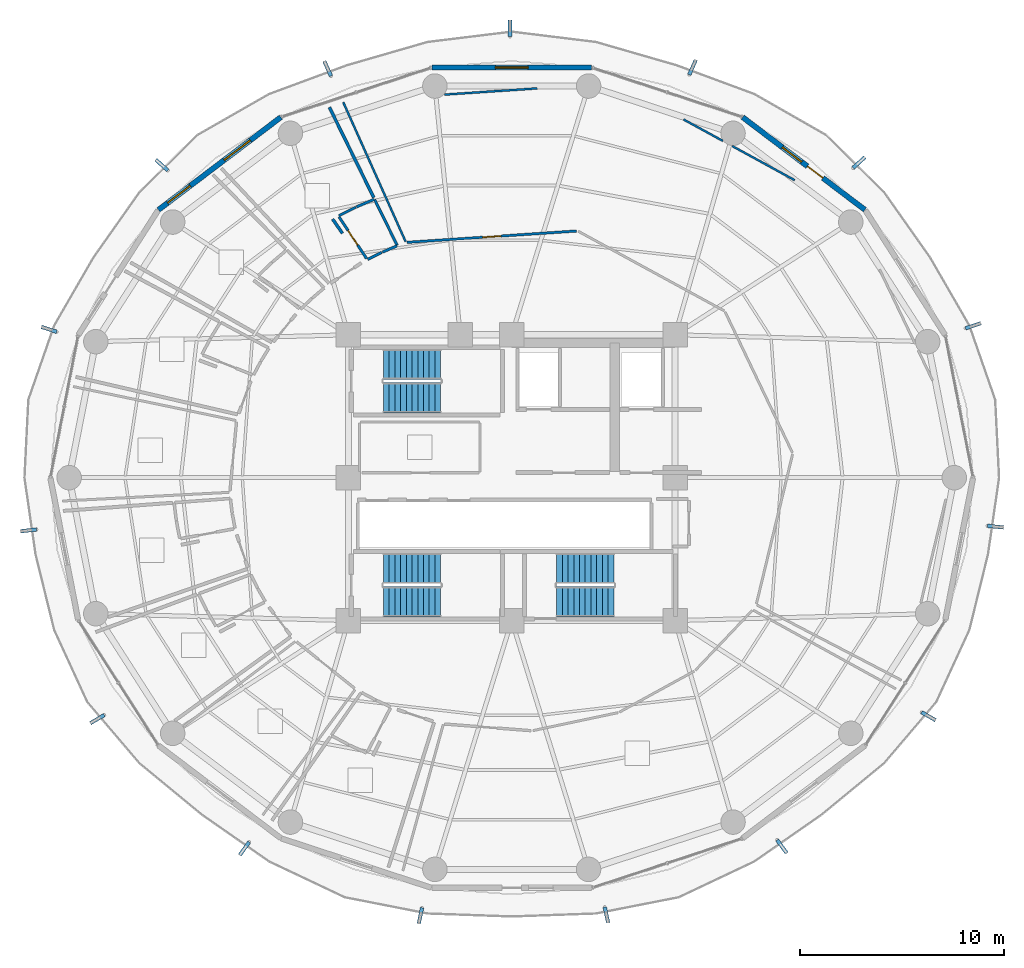
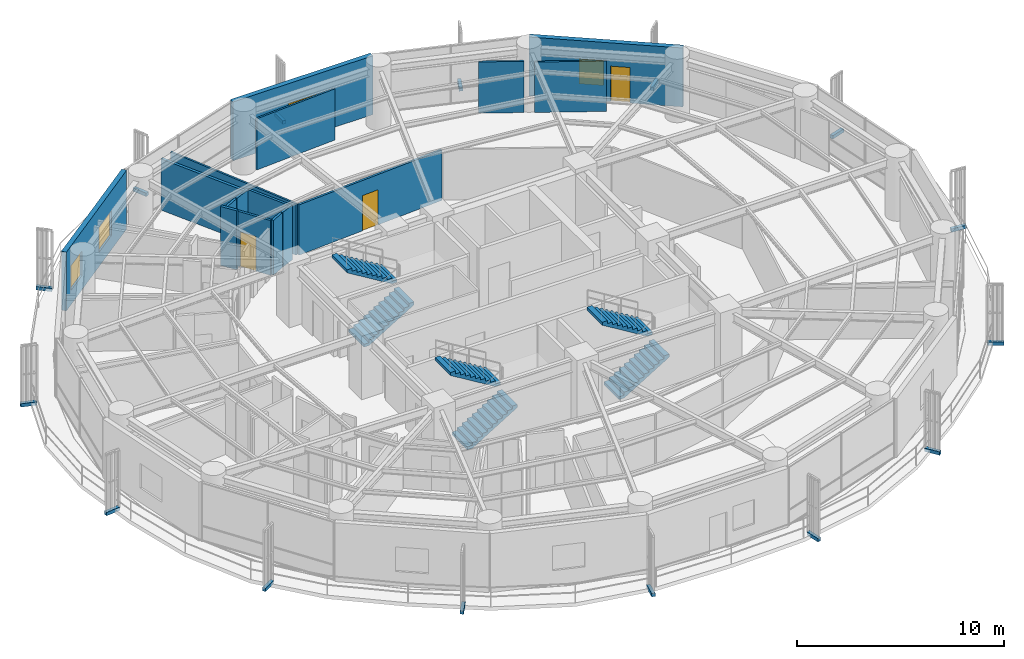
# One storey, part 24 of 28: 16 walls, 15 discrete accessories, 6 stair flights, 4 windows, 3 doors, 7 openings, 3 elements without a shape of their own.
"""IFC4 building model written with IfcOpenShell, lengths in metres."""

from ifc_helpers import new_model, si_unit, direction, frame, frame_2d, origin, origin_2d, place, context, subcontext, project, spatial, polyline, rectangle, outline, extrude, source, transform, mapped, material, layer, layer_set, type_object, element, fill, aggregate, save


model = new_model("IFC4")

# Units and contexts
model_context = context("Model", 3, precision=1e-05, world=origin(), true_north=direction((0.0, 1.0)))
body_context = subcontext(model_context, "Body", "Model", "MODEL_VIEW")
ifc_project = project(units=[si_unit("LENGTHUNIT", "METRE"), si_unit("AREAUNIT", "SQUARE_METRE"), si_unit("VOLUMEUNIT", "CUBIC_METRE"), si_unit("PLANEANGLEUNIT", "RADIAN"), si_unit("MASSUNIT", "GRAM", prefix="KILO")], contexts=[model_context])

# Site, building, storey
site_placement = place(None, origin())
site = spatial("IfcSite", under=ifc_project, at=site_placement, CompositionType="ELEMENT")
building_placement = place(site_placement, origin())
building = spatial("IfcBuilding", under=site, at=building_placement, Name="Kelanora Arch Commons", CompositionType="ELEMENT")
storey_placement = place(building_placement, frame((0.0, 0.0, 139.35009765625)))
storey = spatial("IfcBuildingStorey", under=building, at=storey_placement, Name="L35", CompositionType="ELEMENT", Elevation=139.35009765625)

# Walls
ifc_material_1 = material(Name="Autoclaved aerated concrete blockwork with fire plaster", Category="masonry")
ifc_layer_1 = layer(ifc_material_1, 0.14990234375)
ifc_layer_set_1 = layer_set([ifc_layer_1], Name="Autoclaved aerated concrete blockwork with fire plaster")
wall_type_1 = type_object("IfcWallType", Name="W-COMP-150", PredefinedType="PARTITIONING", material=ifc_layer_set_1)
wall_1_placement = place(storey_placement, frame((65.071533203125, 76.13916015625, 0.0), z_axis=(0.0, 0.0, 1.0), x_axis=(0.440581721025, -0.897712508044, 0.0)))
element("IfcWall", 1, at=wall_1_placement, inside=storey, type_object=wall_type_1, Name="Cluster Bedroom L35-01 Enclosure Partition 5", PredefinedType="PARTITIONING", context=body_context, shape_type="SweptSolid", body=[
    extrude(rectangle(XDim=4.92724609375, YDim=0.14990234375, at=frame_2d((2.463623046875, 0.0))), origin(), (0.0, 0.0, 1.0), 3.02490234375),
])
wall_2_placement = place(storey_placement, frame((65.226806640625, 70.6669921875, 0.0), z_axis=(0.0, 0.0, 1.0), x_axis=(0.567880544382, -0.823110981164, 0.0)))
element("IfcWall", 2, at=wall_2_placement, inside=storey, type_object=wall_type_1, Name="Cluster Bedroom L35-01 Enclosure Partition 7", PredefinedType="PARTITIONING", context=body_context, shape_type="SweptSolid", body=[
    extrude(rectangle(XDim=0.850341796875, YDim=0.14990234375, at=frame_2d((0.42529296875, 0.0))), origin(), (0.0, 0.0, 1.0), 3.47998046875),
])

# Wall, openings, door, window
ifc_material_2 = material(Name="Precast concrete C40/50 with terracotta rainscreen", Category="masonry")
ifc_layer_2 = layer(ifc_material_2, 0.260009765625)
ifc_layer_set_2 = layer_set([ifc_layer_2], Name="Precast concrete C40/50 with terracotta rainscreen")
wall_type_2 = type_object("IfcWallType", Name="W-EXT-TC", PredefinedType="SOLIDWALL", material=ifc_layer_set_2)
wall_3_placement = place(storey_placement, frame((91.300537109375, 71.1220703125, 0.0), z_axis=(0.0, 0.0, 1.0), x_axis=(-0.797163719609, 0.603763202042, 0.0)))
wall_3 = element("IfcWall", 3, at=wall_3_placement, inside=storey, type_object=wall_type_2, Name="Terracotta Exterior Wall L35-B02", PredefinedType="SOLIDWALL", context=body_context, shape_type="SweptSolid", body=[
    extrude(rectangle(XDim=7.51220703125, YDim=0.260009765625, at=frame_2d((3.756103515625, 0.0))), origin(), (0.0, 0.0, 1.0), 3.474853515625),
])
opening_1_placement = place(wall_3_placement, frame((2.5810546875, 0.0, 0.0)))
opening_1 = element("IfcOpeningElement", 4, at=opening_1_placement, cuts=wall_3, Name="Opening DB-01", PredefinedType="OPENING", context=body_context, shape_type="SweptSolid", body=[
    extrude(rectangle(XDim=0.949951171875, YDim=2.10009765625, at=frame_2d((0.47509765625, 1.050048828125))), frame((0.0, 0.14013671875, 0.0), z_axis=(0.0, -1.0, 0.0), x_axis=(1.0, 0.0, 0.0)), (0.0, 0.0, 1.0), 0.280029296875),
])
opening_2_placement = place(wall_3_placement, frame((3.881103515625, 0.0, 0.85009765625)))
opening_2 = element("IfcOpeningElement", 5, at=opening_2_placement, cuts=wall_3, Name="Opening WN-02", PredefinedType="OPENING", context=body_context, shape_type="SweptSolid", body=[
    extrude(rectangle(XDim=1.199951171875, YDim=1.449951171875, at=frame_2d((0.60009765625, 0.72509765625))), frame((0.0, 0.14013671875, 0.0), z_axis=(0.0, -1.0, 0.0), x_axis=(1.0, 0.0, 0.0)), (0.0, 0.0, 1.0), 0.280029296875),
])
ifc_material_3 = material(Name="Terracotta-aluminium thermally broken glazed balcony door", Category="masonry")
door_type_1 = type_object("IfcDoorType", Name="D-BAL-10", OperationType="NOTDEFINED", PredefinedType="DOOR", material=ifc_material_3)
door_1_placement = place(opening_1_placement, frame((0.949951171875, 0.0, 0.0), z_axis=(0.0, 0.0, 1.0), x_axis=(-1.0, 0.0, 0.0)))
door_1 = element("IfcDoor", 6, at=door_1_placement, inside=storey, type_object=door_type_1, Name="Wave Balcony Door L35-B02", OperationType="SINGLE_SWING_RIGHT", OverallHeight=2.10009765625, OverallWidth=0.949951171875, PredefinedType="DOOR", context=body_context, shape_type="SweptSolid", body=[
    extrude(rectangle(XDim=0.949951171875, YDim=2.10009765625, at=frame_2d((0.47509765625, 1.050048828125))), frame((0.0, 0.02490234375, 0.0), z_axis=(0.0, -1.0, 0.0), x_axis=(1.0, 0.0, 0.0)), (0.0, 0.0, 1.0), 0.050048828125),
])
fill(opening_1, door_1)
ifc_material_4 = material(Name="Terracotta-anodised aluminium frame with operable awning sash", Category="masonry")
window_type_1 = type_object("IfcWindowType", Name="WIN-CL-12", PartitioningType="SINGLE_PANEL", PredefinedType="WINDOW", material=ifc_material_4)
window_1_placement = place(opening_2_placement, origin())
window_1 = element("IfcWindow", 7, at=window_1_placement, inside=storey, type_object=window_type_1, Name="Co-Living Operable Window L35-B02", OverallHeight=1.449951171875, OverallWidth=1.199951171875, PartitioningType="SINGLE_PANEL", PredefinedType="WINDOW", context=body_context, shape_type="SweptSolid", body=[
    extrude(rectangle(XDim=1.199951171875, YDim=1.449951171875, at=frame_2d((0.60009765625, 0.72509765625))), frame((0.0, 0.030029296875, 0.0), z_axis=(0.0, -1.0, 0.0), x_axis=(1.0, 0.0, 0.0)), (0.0, 0.0, 1.0), 0.06005859375),
])
fill(opening_2, window_1)

# Wall, opening, window
wall_4_placement = place(storey_placement, frame((77.909423828125, 78.090087890625, 0.0), z_axis=(0.0, 0.0, 1.0), x_axis=(-1.0, 0.0, 0.0)))
wall_4 = element("IfcWall", 8, at=wall_4_placement, inside=storey, type_object=wall_type_2, Name="Terracotta Exterior Wall L35-B04", PredefinedType="SOLIDWALL", context=body_context, shape_type="SweptSolid", body=[
    extrude(rectangle(XDim=7.81884765625, YDim=0.260009765625, at=frame_2d((3.909423828125, 0.0))), origin(), (0.0, 0.0, 1.0), 3.474853515625),
])
opening_3_placement = place(wall_4_placement, frame((3.10888671875, 0.0, 0.85009765625)))
opening_3 = element("IfcOpeningElement", 9, at=opening_3_placement, cuts=wall_4, Name="Opening WN-01", PredefinedType="OPENING", context=body_context, shape_type="SweptSolid", body=[
    extrude(rectangle(XDim=1.60009765625, YDim=1.449951171875, at=frame_2d((0.800048828125, 0.72509765625))), frame((0.0, 0.14013671875, 0.0), z_axis=(0.0, -1.0, 0.0), x_axis=(1.0, 0.0, 0.0)), (0.0, 0.0, 1.0), 0.280029296875),
])
ifc_material_5 = material(Name="Terracotta-anodised aluminium frame with operable low-E glazing", Category="masonry")
window_type_2 = type_object("IfcWindowType", Name="WIN-CL-18", PartitioningType="DOUBLE_PANEL_VERTICAL", PredefinedType="WINDOW", material=ifc_material_5)
window_2_placement = place(opening_3_placement, origin())
window_2 = element("IfcWindow", 10, at=window_2_placement, inside=storey, type_object=window_type_2, Name="Co-Living Operable Window L35-B04", OverallHeight=1.449951171875, OverallWidth=1.60009765625, PartitioningType="SINGLE_PANEL", PredefinedType="WINDOW", context=body_context, shape_type="SweptSolid", body=[
    extrude(rectangle(XDim=1.60009765625, YDim=1.449951171875, at=frame_2d((0.800048828125, 0.72509765625))), frame((0.0, 0.030029296875, 0.0), z_axis=(0.0, -1.0, 0.0), x_axis=(1.0, 0.0, 0.0)), (0.0, 0.0, 1.0), 0.06005859375),
])
fill(opening_3, window_2)

# Wall, openings, windows
wall_5_placement = place(storey_placement, frame((62.68798828125, 75.65771484375, 0.0), z_axis=(0.0, 0.0, 1.0), x_axis=(-0.797163719609, -0.603763202042, 0.0)))
wall_5 = element("IfcWall", 11, at=wall_5_placement, inside=storey, type_object=wall_type_2, Name="Terracotta Exterior Wall L35-B06", PredefinedType="SOLIDWALL", context=body_context, shape_type="SweptSolid", body=[
    extrude(rectangle(XDim=7.51220703125, YDim=0.260009765625, at=frame_2d((3.756103515625, 0.0))), origin(), (0.0, 0.0, 1.0), 3.474853515625),
])
opening_4_placement = place(wall_5_placement, frame((1.8759765625, 0.0, 0.85009765625)))
opening_4 = element("IfcOpeningElement", 12, at=opening_4_placement, cuts=wall_5, Name="Opening WN-01", PredefinedType="OPENING", context=body_context, shape_type="SweptSolid", body=[
    extrude(rectangle(XDim=1.60009765625, YDim=1.449951171875, at=frame_2d((0.800048828125, 0.72509765625))), frame((0.0, 0.14013671875, 0.0), z_axis=(0.0, -1.0, 0.0), x_axis=(1.0, 0.0, 0.0)), (0.0, 0.0, 1.0), 0.280029296875),
])
opening_5_placement = place(wall_5_placement, frame((5.55810546875, 0.0, 0.85009765625)))
opening_5 = element("IfcOpeningElement", 13, at=opening_5_placement, cuts=wall_5, Name="Opening WN-04", PredefinedType="OPENING", context=body_context, shape_type="SweptSolid", body=[
    extrude(rectangle(XDim=1.39990234375, YDim=1.449951171875, at=frame_2d((0.699951171875, 0.72509765625))), frame((0.0, 0.14013671875, 0.0), z_axis=(0.0, -1.0, 0.0), x_axis=(1.0, 0.0, 0.0)), (0.0, 0.0, 1.0), 0.280029296875),
])
window_type_3 = type_object("IfcWindowType", Name="WIN-CL-14", PartitioningType="DOUBLE_PANEL_VERTICAL", PredefinedType="WINDOW", material=ifc_material_5)
window_3_placement = place(opening_5_placement, origin())
window_3 = element("IfcWindow", 14, at=window_3_placement, inside=storey, type_object=window_type_3, Name="Co-Living Operable Window L35-B06-X2", OverallHeight=1.449951171875, OverallWidth=1.39990234375, PartitioningType="SINGLE_PANEL", PredefinedType="WINDOW", context=body_context, shape_type="SweptSolid", body=[
    extrude(rectangle(XDim=1.39990234375, YDim=1.449951171875, at=frame_2d((0.699951171875, 0.72509765625))), frame((0.0, 0.030029296875, 0.0), z_axis=(0.0, -1.0, 0.0), x_axis=(1.0, 0.0, 0.0)), (0.0, 0.0, 1.0), 0.06005859375),
])
fill(opening_5, window_3)
window_4_placement = place(opening_4_placement, origin())
window_4 = element("IfcWindow", 15, at=window_4_placement, inside=storey, type_object=window_type_2, Name="Co-Living Operable Window L35-B06", OverallHeight=1.449951171875, OverallWidth=1.60009765625, PartitioningType="SINGLE_PANEL", PredefinedType="WINDOW", context=body_context, shape_type="SweptSolid", body=[
    extrude(rectangle(XDim=1.60009765625, YDim=1.449951171875, at=frame_2d((0.800048828125, 0.72509765625))), frame((0.0, 0.030029296875, 0.0), z_axis=(0.0, -1.0, 0.0), x_axis=(1.0, 0.0, 0.0)), (0.0, 0.0, 1.0), 0.06005859375),
])
fill(opening_4, window_4)

# Walls
ifc_material_6 = material(Name="Lightweight fire-rated acoustic stud partition")
ifc_layer_3 = layer(ifc_material_6, 0.10009765625)
ifc_layer_set_3 = layer_set([ifc_layer_3], Name="Lightweight fire-rated acoustic stud partition")
wall_type_3 = type_object("IfcWallType", Name="W-PART-100", PredefinedType="PARTITIONING", material=ifc_layer_set_3)
wall_6_placement = place(storey_placement, frame((68.802734375, 69.5615234375, 0.0), z_axis=(0.0, 0.0, 1.0), x_axis=(-0.408373210504, 0.912815052978, 0.0)))
element("IfcWall", 16, at=wall_6_placement, inside=storey, type_object=wall_type_3, Name="North-East Quiet Study Commons L35 Enclosure Partition 5", PredefinedType="PARTITIONING", context=body_context, shape_type="SweptSolid", body=[
    extrude(rectangle(XDim=7.48681640625, YDim=0.10009765625, at=frame_2d((3.743408203125, 0.0))), origin(), (0.0, 0.0, 1.0), 3.02490234375),
])
wall_7_placement = place(storey_placement, frame((70.69873046875, 76.764892578125, 0.0), z_axis=(0.0, 0.0, 1.0), x_axis=(0.997765691497, 0.066810365006, 0.0)))
element("IfcWall", 17, at=wall_7_placement, inside=storey, type_object=wall_type_3, Name="North-East Quiet Study Commons L35 Enclosure Partition 6", PredefinedType="PARTITIONING", context=body_context, shape_type="SweptSolid", body=[
    extrude(rectangle(XDim=4.560546875, YDim=0.10009765625, at=frame_2d((2.2802734375, 0.0))), origin(), (0.0, 0.0, 1.0), 3.02490234375),
])
wall_8_placement = place(storey_placement, frame((82.41845703125, 75.54736328125, 0.0), z_axis=(0.0, 0.0, 1.0), x_axis=(0.877506976323, -0.479563871142, 0.0)))
element("IfcWall", 18, at=wall_8_placement, inside=storey, type_object=wall_type_3, Name="North-East Quiet Study Commons L35 Enclosure Partition 7", PredefinedType="PARTITIONING", context=body_context, shape_type="SweptSolid", body=[
    extrude(rectangle(XDim=2.1865234375, YDim=0.10009765625, at=frame_2d((1.09326171875, 0.0))), origin(), (0.0, 0.0, 1.0), 3.02490234375),
])
wall_9_placement = place(storey_placement, frame((84.799072265625, 74.24658203125, 0.0), z_axis=(0.0, 0.0, 1.0), x_axis=(0.877555375774, -0.479475299104, 0.0)))
element("IfcWall", 19, at=wall_9_placement, inside=storey, type_object=wall_type_3, Name="North-East Quiet Study Commons L35 Enclosure Partition 7", PredefinedType="PARTITIONING", context=body_context, shape_type="SweptSolid", body=[
    extrude(rectangle(XDim=3.4853515625, YDim=0.10009765625, at=frame_2d((1.74267578125, 0.0))), origin(), (0.0, 0.0, 1.0), 2.974853515625),
])

# Wall, opening, door
ifc_material_7 = material(Name="Acoustic twin-stud fire-rated gypsum partition")
ifc_layer_4 = layer(ifc_material_7, 0.1201171875)
ifc_layer_set_4 = layer_set([ifc_layer_4], Name="Acoustic twin-stud fire-rated gypsum partition")
wall_type_4 = type_object("IfcWallType", Name="W-PART-120", PredefinedType="PARTITIONING", material=ifc_layer_set_4)
wall_10_placement = place(storey_placement, frame((77.169189453125, 70.0830078125, 0.0), z_axis=(0.0, 0.0, 1.0), x_axis=(-0.997775005058, -0.066671127793, 0.0)))
wall_10 = element("IfcWall", 20, at=wall_10_placement, inside=storey, type_object=wall_type_4, Name="North-East Quiet Study Commons L35 Entry Partition", PredefinedType="PARTITIONING", context=body_context, shape_type="SweptSolid", body=[
    extrude(rectangle(XDim=8.308837890625, YDim=0.1201171875, at=frame_2d((4.154296875, 0.0))), origin(), (0.0, 0.0, 1.0), 2.974853515625),
])
opening_6_placement = place(wall_10_placement, frame((3.7041015625, 0.0, 0.0)))
opening_6 = element("IfcOpeningElement", 21, at=opening_6_placement, cuts=wall_10, Name="Opening D-RM1", PredefinedType="OPENING", context=body_context, shape_type="SweptSolid", body=[
    extrude(rectangle(XDim=0.89990234375, YDim=2.080078125, at=frame_2d((0.449951171875, 1.0400390625))), frame((0.0, 0.070068359375, 0.0), z_axis=(0.0, -1.0, 0.0), x_axis=(1.0, 0.0, 0.0)), (0.0, 0.0, 1.0), 0.14013671875),
])
ifc_material_8 = material(Name="Acoustic fire-rated timber study and lounge door", Category="wood")
door_type_2 = type_object("IfcDoorType", Name="D-ROOM-90", OperationType="NOTDEFINED", PredefinedType="DOOR", material=ifc_material_8)
door_2_placement = place(opening_6_placement, origin())
door_2 = element("IfcDoor", 22, at=door_2_placement, inside=storey, type_object=door_type_2, Name="North-East Quiet Study Commons L35 Door", OperationType="SINGLE_SWING_RIGHT", OverallHeight=2.080078125, OverallWidth=0.89990234375, PredefinedType="DOOR", context=body_context, shape_type="SweptSolid", body=[
    extrude(rectangle(XDim=0.89990234375, YDim=2.080078125, at=frame_2d((0.449951171875, 1.0400390625))), frame((0.0, 0.02490234375, 0.0), z_axis=(0.0, -1.0, 0.0), x_axis=(1.0, 0.0, 0.0)), (0.0, 0.0, 1.0), 0.050048828125),
])
fill(opening_6, door_2)

ifc_material_9 = material(Name="Moisture-resistant fire-rated cement-board plumbing wall")
ifc_layer_5 = layer(ifc_material_9, 0.1298828125)
ifc_layer_set_5 = layer_set([ifc_layer_5], Name="Moisture-resistant fire-rated cement-board plumbing wall")
wall_type_5 = type_object("IfcWallType", Name="W-WET-120", PredefinedType="PLUMBINGWALL", material=ifc_layer_set_5)
wall_11_placement = place(storey_placement, frame((66.890869140625, 68.72998046875, 0.0), z_axis=(0.0, 0.0, 1.0), x_axis=(-0.550825526042, 0.834620416633, 0.0)))
wall_11 = element("IfcWall", 23, at=wall_11_placement, inside=storey, type_object=wall_type_5, Name="En-Suite Shower WC L35-01 Entry Partition", PredefinedType="PLUMBINGWALL", context=body_context, shape_type="SweptSolid", body=[
    extrude(rectangle(XDim=2.446533203125, YDim=0.1298828125, at=frame_2d((1.22314453125, 0.0))), origin(), (0.0, 0.0, 1.0), 3.23486328125),
])
opening_7_placement = place(wall_11_placement, frame((0.79296875, 0.0, 0.0)))
opening_7 = element("IfcOpeningElement", 24, at=opening_7_placement, cuts=wall_11, Name="Opening D-BT1", PredefinedType="OPENING", context=body_context, shape_type="SweptSolid", body=[
    extrude(rectangle(XDim=0.860107421875, YDim=2.050048828125, at=frame_2d((0.43017578125, 1.02490234375))), frame((0.0, 0.074951171875, 0.0), z_axis=(0.0, -1.0, 0.0), x_axis=(1.0, 0.0, 0.0)), (0.0, 0.0, 1.0), 0.14990234375),
])
ifc_material_10 = material(Name="Moisture-sealed fire-rated accessible bathroom door")
door_type_3 = type_object("IfcDoorType", Name="D-BATH-85", OperationType="NOTDEFINED", PredefinedType="DOOR", material=ifc_material_10)
door_3_placement = place(opening_7_placement, origin())
door_3 = element("IfcDoor", 25, at=door_3_placement, inside=storey, type_object=door_type_3, Name="En-Suite Shower WC L35-01 Door", OperationType="SINGLE_SWING_LEFT", OverallHeight=2.050048828125, OverallWidth=0.860107421875, PredefinedType="DOOR", context=body_context, shape_type="SweptSolid", body=[
    extrude(rectangle(XDim=0.860107421875, YDim=2.050048828125, at=frame_2d((0.43017578125, 1.02490234375))), frame((0.0, 0.02490234375, 0.0), z_axis=(0.0, -1.0, 0.0), x_axis=(1.0, 0.0, 0.0)), (0.0, 0.0, 1.0), 0.050048828125),
])
fill(opening_7, door_3)

# Walls
wall_12_placement = place(storey_placement, frame((68.378662109375, 69.356201171875, 0.0), z_axis=(0.0, 0.0, 1.0), x_axis=(-0.918393228723, -0.395668898746, 0.0)))
element("IfcWall", 26, at=wall_12_placement, inside=storey, type_object=wall_type_5, Name="En-Suite Shower WC L35-01 Enclosure Partition 1", PredefinedType="PLUMBINGWALL", context=body_context, shape_type="SweptSolid", body=[
    extrude(rectangle(XDim=0.7744140625, YDim=0.1298828125, at=frame_2d((0.38720703125, 0.0))), origin(), (0.0, 0.0, 1.0), 3.23486328125),
])
wall_13_placement = place(storey_placement, frame((67.631103515625, 69.033203125, 0.0), z_axis=(0.0, 0.0, 1.0), x_axis=(-0.894617251975, -0.446833271443, 0.0)))
element("IfcWall", 27, at=wall_13_placement, inside=storey, type_object=wall_type_5, Name="En-Suite Shower WC L35-01 Enclosure Partition 2", PredefinedType="PLUMBINGWALL", context=body_context, shape_type="SweptSolid", body=[
    extrude(rectangle(XDim=0.7705078125, YDim=0.1298828125, at=frame_2d((0.38525390625, 0.0))), origin(), (0.0, 0.0, 1.0), 3.23486328125),
])
wall_14_placement = place(storey_placement, frame((65.52783203125, 70.8310546875, 0.0), z_axis=(0.0, 0.0, 1.0), x_axis=(0.894269924497, 0.447527990343, 0.0)))
element("IfcWall", 28, at=wall_14_placement, inside=storey, type_object=wall_type_5, Name="En-Suite Shower WC L35-01 Enclosure Partition 4", PredefinedType="PLUMBINGWALL", context=body_context, shape_type="SweptSolid", body=[
    extrude(rectangle(XDim=0.931884765625, YDim=0.1298828125, at=frame_2d((0.4658203125, 0.0))), origin(), (0.0, 0.0, 1.0), 3.1748046875),
])
wall_15_placement = place(storey_placement, frame((66.3974609375, 71.264892578125, 0.0), z_axis=(0.0, 0.0, 1.0), x_axis=(0.918726840833, 0.394893646357, 0.0)))
element("IfcWall", 29, at=wall_15_placement, inside=storey, type_object=wall_type_5, Name="En-Suite Shower WC L35-01 Enclosure Partition 5", PredefinedType="PLUMBINGWALL", context=body_context, shape_type="SweptSolid", body=[
    extrude(rectangle(XDim=0.937255859375, YDim=0.1298828125, at=frame_2d((0.46875, 0.0))), origin(), (0.0, 0.0, 1.0), 3.1748046875),
])
wall_16_placement = place(storey_placement, frame((67.285888671875, 71.625, 0.0), z_axis=(0.0, 0.0, 1.0), x_axis=(0.441029506653, -0.897492604015, 0.0)))
element("IfcWall", 30, at=wall_16_placement, inside=storey, type_object=wall_type_5, Name="En-Suite Shower WC L35-01 Enclosure Partition 6", PredefinedType="PLUMBINGWALL", context=body_context, shape_type="SweptSolid", body=[
    extrude(rectangle(XDim=2.499267578125, YDim=0.1298828125, at=frame_2d((1.24951171875, 0.0))), origin(), (0.0, 0.0, 1.0), 3.1748046875),
])

# Stair, stair flights
ifc_material_11 = material(Name="Concrete C40/50", Category="concrete")
stair_type = type_object("IfcStairType", Name="STR-DL-375", PredefinedType="HALF_TURN_STAIR", material=ifc_material_11)
stair_1_placement = place(storey_placement, origin())
stair_1 = element("IfcStair", 31, at=stair_1_placement, inside=storey, type_object=stair_type, Name="L35 ST-T1", PredefinedType="HALF_TURN_STAIR")
stair_flight_type = type_object("IfcStairFlightType", Name="FLT-DL-375", PredefinedType="STRAIGHT", material=ifc_material_11)
stair_flight_1_placement = place(storey_placement, frame((67.719970703125, 61.919921875, 0.0), z_axis=(0.0, 0.0, 1.0), x_axis=(1.0, 0.0, 0.0)))
stair_flight_1 = element("IfcStairFlight", 32, at=stair_flight_1_placement, type_object=stair_flight_type, Name="ST-T1 flight 1", NumberOfRisers=11, NumberOfTreads=10, PredefinedType="STRAIGHT", RiserHeight=0.170454545, TreadLength=0.28, context=body_context, shape_type="SweptSolid", body=[
    extrude(outline(polyline([(0.0, 0.0), (0.0, 0.17041015625), (0.280029296875, 0.17041015625), (0.280029296875, 0.3408203125), (0.56005859375, 0.3408203125), (0.56005859375, 0.511474609375), (0.840087890625, 0.511474609375), (0.840087890625, 0.681884765625), (1.1201171875, 0.681884765625), (1.1201171875, 0.852294921875), (1.39990234375, 0.852294921875), (1.39990234375, 1.022705078125), (1.679931640625, 1.022705078125), (1.679931640625, 1.193115234375), (1.9599609375, 1.193115234375), (1.9599609375, 1.363525390625), (2.239990234375, 1.363525390625), (2.239990234375, 1.5341796875), (2.52001953125, 1.5341796875), (2.52001953125, 1.70458984375), (2.800048828125, 1.70458984375), (2.800048828125, 1.875), (2.800048828125, 1.529052734375), (0.288330078125, 0.0), (0.0, 0.0)])), frame((0.0, 0.739990234375, 0.0), z_axis=(0.0, -1.0, 0.0), x_axis=(1.0, 0.0, 0.0)), (0.0, 0.0, 1.0), 1.47998046875),
])
stair_flight_2_placement = place(storey_placement, frame((70.52001953125, 63.550048828125, 1.875), z_axis=(0.0, 0.0, 1.0), x_axis=(-1.0, 0.0, 0.0)))
stair_flight_2 = element("IfcStairFlight", 33, at=stair_flight_2_placement, type_object=stair_flight_type, Name="ST-T1 flight 2", NumberOfRisers=11, NumberOfTreads=10, PredefinedType="STRAIGHT", RiserHeight=0.170454545, TreadLength=0.28, context=body_context, shape_type="SweptSolid", body=[
    extrude(outline(polyline([(0.0, 0.0), (0.0, 0.17041015625), (0.280029296875, 0.17041015625), (0.280029296875, 0.3408203125), (0.56005859375, 0.3408203125), (0.56005859375, 0.511474609375), (0.840087890625, 0.511474609375), (0.840087890625, 0.681884765625), (1.1201171875, 0.681884765625), (1.1201171875, 0.852294921875), (1.39990234375, 0.852294921875), (1.39990234375, 1.022705078125), (1.679931640625, 1.022705078125), (1.679931640625, 1.193115234375), (1.9599609375, 1.193115234375), (1.9599609375, 1.363525390625), (2.239990234375, 1.363525390625), (2.239990234375, 1.5341796875), (2.52001953125, 1.5341796875), (2.52001953125, 1.70458984375), (2.800048828125, 1.70458984375), (2.800048828125, 1.875), (2.800048828125, 1.529052734375), (0.288330078125, 0.0), (0.0, 0.0)])), frame((0.0, 0.739990234375, 0.0), z_axis=(0.0, -1.0, 0.0), x_axis=(1.0, 0.0, 0.0)), (0.0, 0.0, 1.0), 1.47998046875),
])
aggregate(stair_1, [stair_flight_1, stair_flight_2])

stair_2_placement = place(storey_placement, origin())
stair_2 = element("IfcStair", 34, at=stair_2_placement, inside=storey, type_object=stair_type, Name="L35 ST-T2", PredefinedType="HALF_TURN_STAIR")
stair_flight_3_placement = place(storey_placement, frame((76.199951171875, 51.919921875, 0.0), z_axis=(0.0, 0.0, 1.0), x_axis=(1.0, 0.0, 0.0)))
stair_flight_3 = element("IfcStairFlight", 35, at=stair_flight_3_placement, type_object=stair_flight_type, Name="ST-T2 flight 1", NumberOfRisers=11, NumberOfTreads=10, PredefinedType="STRAIGHT", RiserHeight=0.170454545, TreadLength=0.28, context=body_context, shape_type="SweptSolid", body=[
    extrude(outline(polyline([(0.0, 0.0), (0.0, 0.17041015625), (0.280029296875, 0.17041015625), (0.280029296875, 0.3408203125), (0.56005859375, 0.3408203125), (0.56005859375, 0.511474609375), (0.840087890625, 0.511474609375), (0.840087890625, 0.681884765625), (1.1201171875, 0.681884765625), (1.1201171875, 0.852294921875), (1.39990234375, 0.852294921875), (1.39990234375, 1.022705078125), (1.679931640625, 1.022705078125), (1.679931640625, 1.193115234375), (1.9599609375, 1.193115234375), (1.9599609375, 1.363525390625), (2.239990234375, 1.363525390625), (2.239990234375, 1.5341796875), (2.52001953125, 1.5341796875), (2.52001953125, 1.70458984375), (2.800048828125, 1.70458984375), (2.800048828125, 1.875), (2.800048828125, 1.529052734375), (0.288330078125, 0.0), (0.0, 0.0)])), frame((0.0, 0.739990234375, 0.0), z_axis=(0.0, -1.0, 0.0), x_axis=(1.0, 0.0, 0.0)), (0.0, 0.0, 1.0), 1.47998046875),
])
stair_flight_4_placement = place(storey_placement, frame((79.0, 53.550048828125, 1.875), z_axis=(0.0, 0.0, 1.0), x_axis=(-1.0, 0.0, 0.0)))
stair_flight_4 = element("IfcStairFlight", 36, at=stair_flight_4_placement, type_object=stair_flight_type, Name="ST-T2 flight 2", NumberOfRisers=11, NumberOfTreads=10, PredefinedType="STRAIGHT", RiserHeight=0.170454545, TreadLength=0.28, context=body_context, shape_type="SweptSolid", body=[
    extrude(outline(polyline([(0.0, 0.0), (0.0, 0.17041015625), (0.280029296875, 0.17041015625), (0.280029296875, 0.3408203125), (0.56005859375, 0.3408203125), (0.56005859375, 0.511474609375), (0.840087890625, 0.511474609375), (0.840087890625, 0.681884765625), (1.1201171875, 0.681884765625), (1.1201171875, 0.852294921875), (1.39990234375, 0.852294921875), (1.39990234375, 1.022705078125), (1.679931640625, 1.022705078125), (1.679931640625, 1.193115234375), (1.9599609375, 1.193115234375), (1.9599609375, 1.363525390625), (2.239990234375, 1.363525390625), (2.239990234375, 1.5341796875), (2.52001953125, 1.5341796875), (2.52001953125, 1.70458984375), (2.800048828125, 1.70458984375), (2.800048828125, 1.875), (2.800048828125, 1.529052734375), (0.288330078125, 0.0), (0.0, 0.0)])), frame((0.0, 0.739990234375, 0.0), z_axis=(0.0, -1.0, 0.0), x_axis=(1.0, 0.0, 0.0)), (0.0, 0.0, 1.0), 1.47998046875),
])
aggregate(stair_2, [stair_flight_3, stair_flight_4])

stair_3_placement = place(storey_placement, origin())
stair_3 = element("IfcStair", 37, at=stair_3_placement, inside=storey, type_object=stair_type, Name="L35 ST-T3", PredefinedType="HALF_TURN_STAIR")
stair_flight_5_placement = place(storey_placement, frame((67.719970703125, 51.919921875, 0.0), z_axis=(0.0, 0.0, 1.0), x_axis=(1.0, 0.0, 0.0)))
stair_flight_5 = element("IfcStairFlight", 38, at=stair_flight_5_placement, type_object=stair_flight_type, Name="ST-T3 flight 1", NumberOfRisers=11, NumberOfTreads=10, PredefinedType="STRAIGHT", RiserHeight=0.170454545, TreadLength=0.28, context=body_context, shape_type="SweptSolid", body=[
    extrude(outline(polyline([(0.0, 0.0), (0.0, 0.17041015625), (0.280029296875, 0.17041015625), (0.280029296875, 0.3408203125), (0.56005859375, 0.3408203125), (0.56005859375, 0.511474609375), (0.840087890625, 0.511474609375), (0.840087890625, 0.681884765625), (1.1201171875, 0.681884765625), (1.1201171875, 0.852294921875), (1.39990234375, 0.852294921875), (1.39990234375, 1.022705078125), (1.679931640625, 1.022705078125), (1.679931640625, 1.193115234375), (1.9599609375, 1.193115234375), (1.9599609375, 1.363525390625), (2.239990234375, 1.363525390625), (2.239990234375, 1.5341796875), (2.52001953125, 1.5341796875), (2.52001953125, 1.70458984375), (2.800048828125, 1.70458984375), (2.800048828125, 1.875), (2.800048828125, 1.529052734375), (0.288330078125, 0.0), (0.0, 0.0)])), frame((0.0, 0.739990234375, 0.0), z_axis=(0.0, -1.0, 0.0), x_axis=(1.0, 0.0, 0.0)), (0.0, 0.0, 1.0), 1.47998046875),
])
stair_flight_6_placement = place(storey_placement, frame((70.52001953125, 53.550048828125, 1.875), z_axis=(0.0, 0.0, 1.0), x_axis=(-1.0, 0.0, 0.0)))
stair_flight_6 = element("IfcStairFlight", 39, at=stair_flight_6_placement, type_object=stair_flight_type, Name="ST-T3 flight 2", NumberOfRisers=11, NumberOfTreads=10, PredefinedType="STRAIGHT", RiserHeight=0.170454545, TreadLength=0.28, context=body_context, shape_type="SweptSolid", body=[
    extrude(outline(polyline([(0.0, 0.0), (0.0, 0.17041015625), (0.280029296875, 0.17041015625), (0.280029296875, 0.3408203125), (0.56005859375, 0.3408203125), (0.56005859375, 0.511474609375), (0.840087890625, 0.511474609375), (0.840087890625, 0.681884765625), (1.1201171875, 0.681884765625), (1.1201171875, 0.852294921875), (1.39990234375, 0.852294921875), (1.39990234375, 1.022705078125), (1.679931640625, 1.022705078125), (1.679931640625, 1.193115234375), (1.9599609375, 1.193115234375), (1.9599609375, 1.363525390625), (2.239990234375, 1.363525390625), (2.239990234375, 1.5341796875), (2.52001953125, 1.5341796875), (2.52001953125, 1.70458984375), (2.800048828125, 1.70458984375), (2.800048828125, 1.875), (2.800048828125, 1.529052734375), (0.288330078125, 0.0), (0.0, 0.0)])), frame((0.0, 0.739990234375, 0.0), z_axis=(0.0, -1.0, 0.0), x_axis=(1.0, 0.0, 0.0)), (0.0, 0.0, 1.0), 1.47998046875),
])
aggregate(stair_3, [stair_flight_5, stair_flight_6])

# Discrete accessories
ifc_material_12 = material(Name="Stainless steel 316 marine fin bracket", Category="steel")
discrete_accessory_type = type_object("IfcDiscreteAccessoryType", Name="ACC-FIN-BRK", PredefinedType="BRACKET", material=ifc_material_12)
shared_shape = source(origin(), body_context, "Body", "SweptSolid", [
    extrude(rectangle(XDim=0.791748046875, YDim=0.179931640625, at=origin_2d()), origin(), (0.0, 0.0, 1.0), 0.199951171875),
])
for number, where, z_axis, x_axis, name in (
    (40, (96.603515625, 65.441650390625, -0.16015625), (0.0, 0.0, 1.0), (0.949862968197, 0.312666502279, 0.0), "Sweeping Fin Cantilever Spine Bracket L35-00"),
    (41, (91.01220703125, 73.438232421875, -0.16015625), (0.0, 0.0, 1.0), (0.74057007644, 0.671979137981, 0.0), "Sweeping Fin Cantilever Spine Bracket L35-01"),
    (42, (82.855712890625, 78.1005859375, -0.16015625), (0.0, 0.0, 1.0), (0.403225890599, 0.915100475986, 0.0), "Sweeping Fin Cantilever Spine Bracket L35-02"),
    (43, (73.914306640625, 80.014404296875, -0.16015625), (0.0, 0.0, 1.0), (-0.003839714919, 0.999992628267, 0.0), "Sweeping Fin Cantilever Spine Bracket L35-03"),
    (44, (64.9833984375, 78.041015625, -0.16015625), (0.0, 0.0, 1.0), (-0.410241398845, 0.911976970473, 0.0), "Sweeping Fin Cantilever Spine Bracket L35-04"),
    (45, (56.8603515625, 73.312255859375, -0.16015625), (0.0, 0.0, 1.0), (-0.745708617985, 0.666272209433, 0.0), "Sweeping Fin Cantilever Spine Bracket L35-05"),
    (46, (51.33544921875, 65.266845703125, -0.16015625), (0.0, 0.0, 1.0), (-0.952236042525, 0.30536293049, 0.0), "Sweeping Fin Cantilever Spine Bracket L35-06"),
    (47, (50.32763671875, 55.418701171875, -0.16015625), (0.0, 0.0, 1.0), (-0.994113204519, -0.108346373271, 0.0), "Sweeping Fin Cantilever Spine Bracket L35-07"),
    (48, (53.698974609375, 46.173583984375, -0.16015625), (0.0, 0.0, 1.0), (-0.864099162217, -0.503321604797, 0.0), "Sweeping Fin Cantilever Spine Bracket L35-08"),
    (49, (60.90869140625, 39.8330078125, -0.16015625), (0.0, 0.0, 1.0), (-0.584674524674, -0.811267958321, 0.0), "Sweeping Fin Cantilever Spine Bracket L35-09"),
    (50, (69.527099609375, 36.5458984375, -0.16015625), (0.0, 0.0, 1.0), (-0.204154350213, -0.978938711712, 0.0), "Sweeping Fin Cantilever Spine Bracket L35-10"),
    (51, (78.640380859375, 36.5791015625, -0.16015625), (0.0, 0.0, 1.0), (0.211665966084, -0.97734206847, 0.0), "Sweeping Fin Cantilever Spine Bracket L35-11"),
    (52, (87.234375, 39.9326171875, -0.16015625), (0.0, 0.0, 1.0), (0.59088731392, -0.806754102716, 0.0), "Sweeping Fin Cantilever Spine Bracket L35-12"),
    (53, (94.42138671875, 46.3154296875, -0.16015625), (0.0, 0.0, 1.0), (0.867938877136, -0.49667102347, 0.0), "Sweeping Fin Cantilever Spine Bracket L35-13"),
    (54, (97.698974609375, 55.602294921875, -0.16015625), (0.0, 0.0, 1.0), (0.994915923519, -0.100709012153, 0.0), "Sweeping Fin Cantilever Spine Bracket L35-14"),
):
    element("IfcDiscreteAccessory", number, at=place(storey_placement, frame(where, z_axis=z_axis, x_axis=x_axis)), inside=storey, type_object=discrete_accessory_type, Name=name, PredefinedType="BRACKET", context=body_context, shape_type="MappedRepresentation", body=[
        mapped(shared_shape, transform((0.0, 0.0, 0.0), scale=1.0)),
    ])

save(model, "model.ifc")
